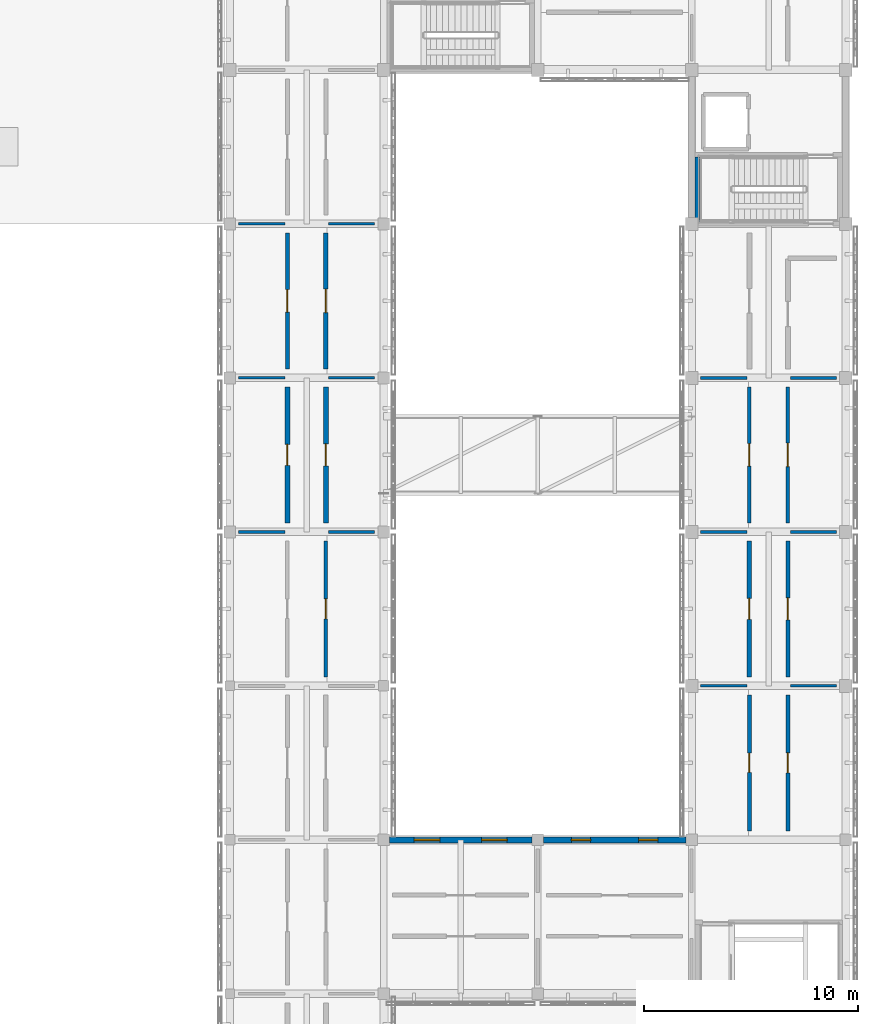
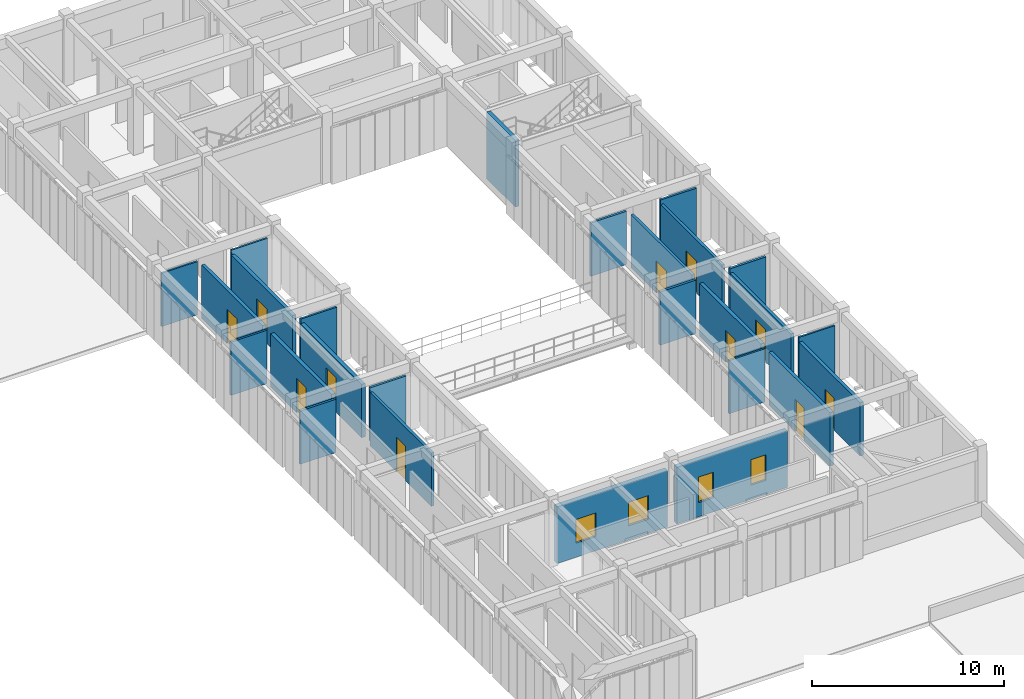
# One storey, part 79 of 91: 26 walls, 11 doors, 4 windows, 15 openings.
"""IFC4 building model written with IfcOpenShell, lengths in metres."""

from ifc_helpers import new_model, si_unit, direction, frame, frame_2d, origin, place, context, subcontext, project, spatial, rectangle, extrude, material, layer, layer_set, type_object, element, fill, save


model = new_model("IFC4")

# Units and contexts
model_context = context("Model", 3, precision=1e-05, world=origin(), true_north=direction((0.0, 1.0)))
body_context = subcontext(model_context, "Body", "Model", "MODEL_VIEW")
ifc_project = project(units=[si_unit("LENGTHUNIT", "METRE"), si_unit("AREAUNIT", "SQUARE_METRE"), si_unit("VOLUMEUNIT", "CUBIC_METRE"), si_unit("PLANEANGLEUNIT", "RADIAN"), si_unit("MASSUNIT", "GRAM", prefix="KILO")], contexts=[model_context])

# Site, building, storey
site_placement = place(None, origin())
site = spatial("IfcSite", under=ifc_project, at=site_placement, CompositionType="ELEMENT")
building_placement = place(site_placement, origin())
building = spatial("IfcBuilding", under=site, at=building_placement, Name="Aldebral Square Health Centre", CompositionType="ELEMENT")
storey_placement = place(building_placement, frame((0.0, 0.0, 9.0)))
storey = spatial("IfcBuildingStorey", under=building, at=storey_placement, Name="L02", CompositionType="ELEMENT", Elevation=9.0)

# Wall, openings, windows
ifc_material_1 = material(Name="Ochre mineral-rendered concrete C35/45 court wall", Category="concrete")
ifc_layer_1 = layer(ifc_material_1, 0.280029296875, Name="Ochre mineral-rendered concrete C35/45 court wall", Category="concrete")
ifc_layer_set_1 = layer_set([ifc_layer_1], Name="Ochre mineral-rendered concrete C35/45 court wall")
wall_type_1 = type_object("IfcWallType", Name="EW-OCH-280", PredefinedType="STANDARD", material=ifc_layer_set_1)
wall_1_placement = place(storey_placement, frame((150.925048828125, 64.800048828125, 0.0), z_axis=(0.0, 0.0, 1.0), x_axis=(-1.0, 0.0, 0.0)))
wall_1 = element("IfcWall", 1, at=wall_1_placement, inside=storey, type_object=wall_type_1, Name="L02 V5 exterior wall L02-V5-20-08-N", PredefinedType="STANDARD", context=body_context, shape_type="SweptSolid", body=[
    extrude(rectangle(XDim=6.650146484375, YDim=0.280029296875, at=frame_2d((3.3251953125, 0.0))), origin(), (0.0, 0.0, 1.0), 3.590087890625),
])
opening_1_placement = place(wall_1_placement, frame((1.14990234375, 0.0, 0.89990234375)))
opening_1 = element("IfcOpeningElement", 2, at=opening_1_placement, cuts=wall_1, Name="Opening W21", PredefinedType="OPENING", context=body_context, shape_type="SweptSolid", body=[
    extrude(rectangle(XDim=1.199951171875, YDim=1.5, at=frame_2d((0.60009765625, 0.75))), frame((0.0, 0.14990234375, 0.0), z_axis=(0.0, -1.0, 0.0), x_axis=(1.0, 0.0, 0.0)), (0.0, 0.0, 1.0), 0.300048828125),
])
opening_2_placement = place(wall_1_placement, frame((4.300048828125, 0.0, 0.89990234375)))
opening_2 = element("IfcOpeningElement", 3, at=opening_2_placement, cuts=wall_1, Name="Opening W21", PredefinedType="OPENING", context=body_context, shape_type="SweptSolid", body=[
    extrude(rectangle(XDim=1.199951171875, YDim=1.5, at=frame_2d((0.60009765625, 0.75))), frame((0.0, 0.14990234375, 0.0), z_axis=(0.0, -1.0, 0.0), x_axis=(1.0, 0.0, 0.0)), (0.0, 0.0, 1.0), 0.300048828125),
])
ifc_material_2 = material(Name="Thermally broken aluminium and low-E glass", Category="aluminium")
window_type_1 = type_object("IfcWindowType", Name="WIN-W21", PartitioningType="SINGLE_PANEL", PredefinedType="WINDOW", material=ifc_material_2)
window_1_placement = place(opening_1_placement, origin())
window_1 = element("IfcWindow", 4, at=window_1_placement, inside=storey, type_object=window_type_1, Name="L02 clinical window L02-V5-20-08-N.1", OverallHeight=1.5, OverallWidth=1.199951171875, PartitioningType="SINGLE_PANEL", PredefinedType="WINDOW", context=body_context, shape_type="SweptSolid", body=[
    extrude(rectangle(XDim=1.199951171875, YDim=1.5, at=frame_2d((0.60009765625, 0.75))), frame((0.0, 0.030029296875, 0.0), z_axis=(0.0, -1.0, 0.0), x_axis=(1.0, 0.0, 0.0)), (0.0, 0.0, 1.0), 0.06005859375),
])
fill(opening_1, window_1)
window_2_placement = place(opening_2_placement, origin())
window_2 = element("IfcWindow", 5, at=window_2_placement, inside=storey, type_object=window_type_1, Name="L02 clinical window L02-V5-20-08-N.2", OverallHeight=1.5, OverallWidth=1.199951171875, PartitioningType="SINGLE_PANEL", PredefinedType="WINDOW", context=body_context, shape_type="SweptSolid", body=[
    extrude(rectangle(XDim=1.199951171875, YDim=1.5, at=frame_2d((0.60009765625, 0.75))), frame((0.0, 0.030029296875, 0.0), z_axis=(0.0, -1.0, 0.0), x_axis=(1.0, 0.0, 0.0)), (0.0, 0.0, 1.0), 0.06005859375),
])
fill(opening_2, window_2)

wall_2_placement = place(storey_placement, frame((158.125, 64.800048828125, 0.0), z_axis=(0.0, 0.0, 1.0), x_axis=(-1.0, 0.0, 0.0)))
wall_2 = element("IfcWall", 6, at=wall_2_placement, inside=storey, type_object=wall_type_1, Name="L02 V5 exterior wall L02-V5-21-08-N", PredefinedType="STANDARD", context=body_context, shape_type="SweptSolid", body=[
    extrude(rectangle(XDim=6.64990234375, YDim=0.280029296875, at=frame_2d((3.324951171875, 0.0))), origin(), (0.0, 0.0, 1.0), 3.590087890625),
])
opening_3_placement = place(wall_2_placement, frame((1.300048828125, 0.0, 0.89990234375)))
opening_3 = element("IfcOpeningElement", 7, at=opening_3_placement, cuts=wall_2, Name="Opening W28", PredefinedType="OPENING", context=body_context, shape_type="SweptSolid", body=[
    extrude(rectangle(XDim=0.89990234375, YDim=1.6201171875, at=frame_2d((0.449951171875, 0.81005859375))), frame((0.0, 0.14990234375, 0.0), z_axis=(0.0, -1.0, 0.0), x_axis=(1.0, 0.0, 0.0)), (0.0, 0.0, 1.0), 0.300048828125),
])
opening_4_placement = place(wall_2_placement, frame((4.449951171875, 0.0, 0.89990234375)))
opening_4 = element("IfcOpeningElement", 8, at=opening_4_placement, cuts=wall_2, Name="Opening W28", PredefinedType="OPENING", context=body_context, shape_type="SweptSolid", body=[
    extrude(rectangle(XDim=0.89990234375, YDim=1.6201171875, at=frame_2d((0.449951171875, 0.81005859375))), frame((0.0, 0.14990234375, 0.0), z_axis=(0.0, -1.0, 0.0), x_axis=(1.0, 0.0, 0.0)), (0.0, 0.0, 1.0), 0.300048828125),
])
window_type_2 = type_object("IfcWindowType", Name="WIN-W28", PartitioningType="SINGLE_PANEL", PredefinedType="WINDOW", material=ifc_material_2)
window_3_placement = place(opening_3_placement, origin())
window_3 = element("IfcWindow", 9, at=window_3_placement, inside=storey, type_object=window_type_2, Name="L02 clinical window L02-V5-21-08-N.1", OverallHeight=1.6201171875, OverallWidth=0.89990234375, PartitioningType="SINGLE_PANEL", PredefinedType="WINDOW", context=body_context, shape_type="SweptSolid", body=[
    extrude(rectangle(XDim=0.89990234375, YDim=1.6201171875, at=frame_2d((0.449951171875, 0.81005859375))), frame((0.0, 0.030029296875, 0.0), z_axis=(0.0, -1.0, 0.0), x_axis=(1.0, 0.0, 0.0)), (0.0, 0.0, 1.0), 0.06005859375),
])
fill(opening_3, window_3)
window_4_placement = place(opening_4_placement, origin())
window_4 = element("IfcWindow", 10, at=window_4_placement, inside=storey, type_object=window_type_2, Name="L02 clinical window L02-V5-21-08-N.2", OverallHeight=1.6201171875, OverallWidth=0.89990234375, PartitioningType="SINGLE_PANEL", PredefinedType="WINDOW", context=body_context, shape_type="SweptSolid", body=[
    extrude(rectangle(XDim=0.89990234375, YDim=1.6201171875, at=frame_2d((0.449951171875, 0.81005859375))), frame((0.0, 0.030029296875, 0.0), z_axis=(0.0, -1.0, 0.0), x_axis=(1.0, 0.0, 0.0)), (0.0, 0.0, 1.0), 0.06005859375),
])
fill(opening_4, window_4)

# Wall, opening, door
ifc_material_3 = material(Name="Concrete C35/45 compartment wall", Category="concrete")
ifc_layer_2 = layer(ifc_material_3, 0.199951171875, Name="Concrete C35/45 compartment wall", Category="concrete")
ifc_layer_set_2 = layer_set([ifc_layer_2], Name="Concrete C35/45 compartment wall")
wall_type_2 = type_object("IfcWallType", Name="IW-CMP-200", PredefinedType="SOLIDWALL", material=ifc_layer_set_2)
wall_3_placement = place(storey_placement, frame((139.5, 86.820068359375, 0.0), z_axis=(0.0, 0.0, 1.0), x_axis=(0.0, 1.0, 0.0)))
wall_3 = element("IfcWall", 11, at=wall_3_placement, inside=storey, type_object=wall_type_2, Name="L02 Clean Linen Store 20.13W corridor wall", PredefinedType="SOLIDWALL", context=body_context, shape_type="SweptSolid", body=[
    extrude(rectangle(XDim=6.35986328125, YDim=0.199951171875, at=frame_2d((3.179931640625, 0.0))), origin(), (0.0, 0.0, 1.0), 3.3798828125),
])
opening_5_placement = place(wall_3_placement, frame((2.64990234375, 0.0, 0.0)))
opening_5 = element("IfcOpeningElement", 12, at=opening_5_placement, cuts=wall_3, Name="Opening D-0481", PredefinedType="OPENING", context=body_context, shape_type="SweptSolid", body=[
    extrude(rectangle(XDim=1.06005859375, YDim=2.18994140625, at=frame_2d((0.530029296875, 1.094970703125))), frame((0.0, 0.10986328125, 0.0), z_axis=(0.0, -1.0, 0.0), x_axis=(1.0, 0.0, 0.0)), (0.0, 0.0, 1.0), 0.219970703125),
])
ifc_material_4 = material(Name="Clinical suite fire door")
door_type_1 = type_object("IfcDoorType", Name="ID-EXD-52", OperationType="NOTDEFINED", PredefinedType="DOOR", material=ifc_material_4)
door_1_placement = place(opening_5_placement, origin())
door_1 = element("IfcDoor", 13, at=door_1_placement, inside=storey, type_object=door_type_1, Name="L02 Clean Linen Store 20.13W door", OperationType="SINGLE_SWING_RIGHT", OverallHeight=2.18994140625, OverallWidth=1.06005859375, PredefinedType="DOOR", context=body_context, shape_type="SweptSolid", body=[
    extrude(rectangle(XDim=1.06005859375, YDim=2.18994140625, at=frame_2d((0.530029296875, 1.094970703125))), frame((0.0, 0.02490234375, 0.0), z_axis=(0.0, -1.0, 0.0), x_axis=(1.0, 0.0, 0.0)), (0.0, 0.0, 1.0), 0.050048828125),
])
fill(opening_5, door_1)

wall_4_placement = place(storey_placement, frame((161.10009765625, 65.219970703125, 0.0), z_axis=(0.0, 0.0, 1.0), x_axis=(0.0, 1.0, 0.0)))
wall_4 = element("IfcWall", 14, at=wall_4_placement, inside=storey, type_object=wall_type_2, Name="L02 Orthopaedic Cast Clinic 23.10W corridor wall", PredefinedType="SOLIDWALL", context=body_context, shape_type="SweptSolid", body=[
    extrude(rectangle(XDim=6.360107421875, YDim=0.199951171875, at=frame_2d((3.18017578125, 0.0))), origin(), (0.0, 0.0, 1.0), 3.3798828125),
])
opening_6_placement = place(wall_4_placement, frame((2.72998046875, 0.0, 0.0)))
opening_6 = element("IfcOpeningElement", 15, at=opening_6_placement, cuts=wall_4, Name="Opening D-0498", PredefinedType="OPENING", context=body_context, shape_type="SweptSolid", body=[
    extrude(rectangle(XDim=0.89990234375, YDim=2.0400390625, at=frame_2d((0.449951171875, 1.02001953125))), frame((0.0, 0.10986328125, 0.0), z_axis=(0.0, -1.0, 0.0), x_axis=(1.0, 0.0, 0.0)), (0.0, 0.0, 1.0), 0.219970703125),
])
door_type_2 = type_object("IfcDoorType", Name="ID-EXD-00", OperationType="NOTDEFINED", PredefinedType="DOOR", material=ifc_material_4)
door_2_placement = place(opening_6_placement, origin())
door_2 = element("IfcDoor", 16, at=door_2_placement, inside=storey, type_object=door_type_2, Name="L02 Orthopaedic Cast Clinic 23.10W door", OperationType="SINGLE_SWING_LEFT", OverallHeight=2.0400390625, OverallWidth=0.89990234375, PredefinedType="DOOR", context=body_context, shape_type="SweptSolid", body=[
    extrude(rectangle(XDim=0.89990234375, YDim=2.0400390625, at=frame_2d((0.449951171875, 1.02001953125))), frame((0.0, 0.02490234375, 0.0), z_axis=(0.0, -1.0, 0.0), x_axis=(1.0, 0.0, 0.0)), (0.0, 0.0, 1.0), 0.050048828125),
])
fill(opening_6, door_2)

wall_5_placement = place(storey_placement, frame((162.89990234375, 65.219970703125, 0.0), z_axis=(0.0, 0.0, 1.0), x_axis=(0.0, 1.0, 0.0)))
wall_5 = element("IfcWall", 17, at=wall_5_placement, inside=storey, type_object=wall_type_2, Name="L02 Clean Linen Store 23.10E corridor wall", PredefinedType="SOLIDWALL", context=body_context, shape_type="SweptSolid", body=[
    extrude(rectangle(XDim=6.360107421875, YDim=0.199951171875, at=frame_2d((3.18017578125, 0.0))), origin(), (0.0, 0.0, 1.0), 3.3798828125),
])
opening_7_placement = place(wall_5_placement, frame((2.7099609375, 0.0, 0.0)))
opening_7 = element("IfcOpeningElement", 18, at=opening_7_placement, cuts=wall_5, Name="Opening D-0499", PredefinedType="OPENING", context=body_context, shape_type="SweptSolid", body=[
    extrude(rectangle(XDim=0.93994140625, YDim=2.0400390625, at=frame_2d((0.469970703125, 1.02001953125))), frame((0.0, 0.10986328125, 0.0), z_axis=(0.0, -1.0, 0.0), x_axis=(1.0, 0.0, 0.0)), (0.0, 0.0, 1.0), 0.219970703125),
])
door_type_3 = type_object("IfcDoorType", Name="ID-EXD-01", OperationType="NOTDEFINED", PredefinedType="DOOR", material=ifc_material_4)
door_3_placement = place(opening_7_placement, origin())
door_3 = element("IfcDoor", 19, at=door_3_placement, inside=storey, type_object=door_type_3, Name="L02 Clean Linen Store 23.10E door", OperationType="SINGLE_SWING_RIGHT", OverallHeight=2.0400390625, OverallWidth=0.93994140625, PredefinedType="DOOR", context=body_context, shape_type="SweptSolid", body=[
    extrude(rectangle(XDim=0.93994140625, YDim=2.0400390625, at=frame_2d((0.469970703125, 1.02001953125))), frame((0.0, 0.02490234375, 0.0), z_axis=(0.0, -1.0, 0.0), x_axis=(1.0, 0.0, 0.0)), (0.0, 0.0, 1.0), 0.050048828125),
])
fill(opening_7, door_3)

ifc_layer_3 = layer(ifc_material_3, 0.219970703125, Name="Concrete C35/45 compartment wall", Category="concrete")
ifc_layer_set_3 = layer_set([ifc_layer_3], Name="Concrete C35/45 compartment wall")
wall_type_3 = type_object("IfcWallType", Name="IW-CMP-220", PredefinedType="SOLIDWALL", material=ifc_layer_set_3)
wall_6_placement = place(storey_placement, frame((139.5, 79.6201171875, 0.0), z_axis=(0.0, 0.0, 1.0), x_axis=(0.0, 1.0, 0.0)))
wall_6 = element("IfcWall", 20, at=wall_6_placement, inside=storey, type_object=wall_type_3, Name="L02 Dermatology Procedure Clinic 20.12W corridor wall", PredefinedType="SOLIDWALL", context=body_context, shape_type="SweptSolid", body=[
    extrude(rectangle(XDim=6.35986328125, YDim=0.219970703125, at=frame_2d((3.179931640625, 0.0))), origin(), (0.0, 0.0, 1.0), 3.3798828125),
])
opening_8_placement = place(wall_6_placement, frame((2.68994140625, 0.0, 0.0)))
opening_8 = element("IfcOpeningElement", 21, at=opening_8_placement, cuts=wall_6, Name="Opening D-0479", PredefinedType="OPENING", context=body_context, shape_type="SweptSolid", body=[
    extrude(rectangle(XDim=0.97998046875, YDim=2.18994140625, at=frame_2d((0.489990234375, 1.094970703125))), frame((0.0, 0.1201171875, 0.0), z_axis=(0.0, -1.0, 0.0), x_axis=(1.0, 0.0, 0.0)), (0.0, 0.0, 1.0), 0.239990234375),
])
door_type_4 = type_object("IfcDoorType", Name="ID-EXD-50", OperationType="NOTDEFINED", PredefinedType="DOOR", material=ifc_material_4)
door_4_placement = place(opening_8_placement, origin())
door_4 = element("IfcDoor", 22, at=door_4_placement, inside=storey, type_object=door_type_4, Name="L02 Dermatology Procedure Clinic 20.12W door", OperationType="SINGLE_SWING_RIGHT", OverallHeight=2.18994140625, OverallWidth=0.97998046875, PredefinedType="DOOR", context=body_context, shape_type="SweptSolid", body=[
    extrude(rectangle(XDim=0.97998046875, YDim=2.18994140625, at=frame_2d((0.489990234375, 1.094970703125))), frame((0.0, 0.02490234375, 0.0), z_axis=(0.0, -1.0, 0.0), x_axis=(1.0, 0.0, 0.0)), (0.0, 0.0, 1.0), 0.050048828125),
])
fill(opening_8, door_4)

wall_7_placement = place(storey_placement, frame((141.300048828125, 79.6201171875, 0.0), z_axis=(0.0, 0.0, 1.0), x_axis=(0.0, 1.0, 0.0)))
wall_7 = element("IfcWall", 23, at=wall_7_placement, inside=storey, type_object=wall_type_3, Name="L02 Orthopaedic Cast Clinic 20.12E corridor wall", PredefinedType="SOLIDWALL", context=body_context, shape_type="SweptSolid", body=[
    extrude(rectangle(XDim=6.35986328125, YDim=0.219970703125, at=frame_2d((3.179931640625, 0.0))), origin(), (0.0, 0.0, 1.0), 3.3798828125),
])
opening_9_placement = place(wall_7_placement, frame((2.669921875, 0.0, 0.0)))
opening_9 = element("IfcOpeningElement", 24, at=opening_9_placement, cuts=wall_7, Name="Opening D-0480", PredefinedType="OPENING", context=body_context, shape_type="SweptSolid", body=[
    extrude(rectangle(XDim=1.02001953125, YDim=2.18994140625, at=frame_2d((0.510009765625, 1.094970703125))), frame((0.0, 0.1201171875, 0.0), z_axis=(0.0, -1.0, 0.0), x_axis=(1.0, 0.0, 0.0)), (0.0, 0.0, 1.0), 0.239990234375),
])
door_type_5 = type_object("IfcDoorType", Name="ID-EXD-51", OperationType="NOTDEFINED", PredefinedType="DOOR", material=ifc_material_4)
door_5_placement = place(opening_9_placement, origin())
door_5 = element("IfcDoor", 25, at=door_5_placement, inside=storey, type_object=door_type_5, Name="L02 Orthopaedic Cast Clinic 20.12E door", OperationType="SINGLE_SWING_LEFT", OverallHeight=2.18994140625, OverallWidth=1.02001953125, PredefinedType="DOOR", context=body_context, shape_type="SweptSolid", body=[
    extrude(rectangle(XDim=1.02001953125, YDim=2.18994140625, at=frame_2d((0.510009765625, 1.094970703125))), frame((0.0, 0.02490234375, 0.0), z_axis=(0.0, -1.0, 0.0), x_axis=(1.0, 0.0, 0.0)), (0.0, 0.0, 1.0), 0.050048828125),
])
fill(opening_9, door_5)

ifc_material_5 = material(Name="Fire-rated acoustic gypsum partition")
ifc_layer_4 = layer(ifc_material_5, 0.1650390625, Name="Fire-rated acoustic gypsum partition")
ifc_layer_set_4 = layer_set([ifc_layer_4], Name="Fire-rated acoustic gypsum partition")
wall_type_4 = type_object("IfcWallType", Name="IW-COR-165", PredefinedType="PARTITIONING", material=ifc_layer_set_4)
wall_8_placement = place(storey_placement, frame((141.300048828125, 72.419921875, 0.0), z_axis=(0.0, 0.0, 1.0), x_axis=(0.0, 1.0, 0.0)))
wall_8 = element("IfcWall", 26, at=wall_8_placement, inside=storey, type_object=wall_type_4, Name="L02 Ophthalmology Exam Suite 20.11E corridor wall", PredefinedType="PARTITIONING", context=body_context, shape_type="SweptSolid", body=[
    extrude(rectangle(XDim=6.360107421875, YDim=0.1650390625, at=frame_2d((3.18017578125, 0.0))), origin(), (0.0, 0.0, 1.0), 3.3798828125),
])
opening_10_placement = place(wall_8_placement, frame((2.7099609375, 0.0, 0.0)))
opening_10 = element("IfcOpeningElement", 27, at=opening_10_placement, cuts=wall_8, Name="Opening D-0478", PredefinedType="OPENING", context=body_context, shape_type="SweptSolid", body=[
    extrude(rectangle(XDim=0.93994140625, YDim=2.18994140625, at=frame_2d((0.469970703125, 1.094970703125))), frame((0.0, 0.092529296875, 0.0), z_axis=(0.0, -1.0, 0.0), x_axis=(1.0, 0.0, 0.0)), (0.0, 0.0, 1.0), 0.18505859375),
])
door_type_6 = type_object("IfcDoorType", Name="ID-EXD-49", OperationType="NOTDEFINED", PredefinedType="DOOR", material=ifc_material_4)
door_6_placement = place(opening_10_placement, origin())
door_6 = element("IfcDoor", 28, at=door_6_placement, inside=storey, type_object=door_type_6, Name="L02 Ophthalmology Exam Suite 20.11E door", OperationType="SINGLE_SWING_LEFT", OverallHeight=2.18994140625, OverallWidth=0.93994140625, PredefinedType="DOOR", context=body_context, shape_type="SweptSolid", body=[
    extrude(rectangle(XDim=0.93994140625, YDim=2.18994140625, at=frame_2d((0.469970703125, 1.094970703125))), frame((0.0, 0.02490234375, 0.0), z_axis=(0.0, -1.0, 0.0), x_axis=(1.0, 0.0, 0.0)), (0.0, 0.0, 1.0), 0.050048828125),
])
fill(opening_10, door_6)

wall_9_placement = place(storey_placement, frame((161.10009765625, 79.6201171875, 0.0), z_axis=(0.0, 0.0, 1.0), x_axis=(0.0, 1.0, 0.0)))
wall_9 = element("IfcWall", 29, at=wall_9_placement, inside=storey, type_object=wall_type_4, Name="L02 Ophthalmology Exam Suite 23.12W corridor wall", PredefinedType="PARTITIONING", context=body_context, shape_type="SweptSolid", body=[
    extrude(rectangle(XDim=6.35986328125, YDim=0.1650390625, at=frame_2d((3.179931640625, 0.0))), origin(), (0.0, 0.0, 1.0), 3.3798828125),
])
opening_11_placement = place(wall_9_placement, frame((2.64990234375, 0.0, 0.0)))
opening_11 = element("IfcOpeningElement", 30, at=opening_11_placement, cuts=wall_9, Name="Opening D-0502", PredefinedType="OPENING", context=body_context, shape_type="SweptSolid", body=[
    extrude(rectangle(XDim=1.06005859375, YDim=2.0400390625, at=frame_2d((0.530029296875, 1.02001953125))), frame((0.0, 0.092529296875, 0.0), z_axis=(0.0, -1.0, 0.0), x_axis=(1.0, 0.0, 0.0)), (0.0, 0.0, 1.0), 0.18505859375),
])
door_type_7 = type_object("IfcDoorType", Name="ID-EXD-04", OperationType="NOTDEFINED", PredefinedType="DOOR", material=ifc_material_4)
door_7_placement = place(opening_11_placement, origin())
door_7 = element("IfcDoor", 31, at=door_7_placement, inside=storey, type_object=door_type_7, Name="L02 Ophthalmology Exam Suite 23.12W door", OperationType="SINGLE_SWING_LEFT", OverallHeight=2.0400390625, OverallWidth=1.06005859375, PredefinedType="DOOR", context=body_context, shape_type="SweptSolid", body=[
    extrude(rectangle(XDim=1.06005859375, YDim=2.0400390625, at=frame_2d((0.530029296875, 1.02001953125))), frame((0.0, 0.02490234375, 0.0), z_axis=(0.0, -1.0, 0.0), x_axis=(1.0, 0.0, 0.0)), (0.0, 0.0, 1.0), 0.050048828125),
])
fill(opening_11, door_7)

wall_10_placement = place(storey_placement, frame((162.89990234375, 79.6201171875, 0.0), z_axis=(0.0, 0.0, 1.0), x_axis=(0.0, 1.0, 0.0)))
wall_10 = element("IfcWall", 32, at=wall_10_placement, inside=storey, type_object=wall_type_4, Name="L02 Dermatology Procedure Clinic 23.12E corridor wall", PredefinedType="PARTITIONING", context=body_context, shape_type="SweptSolid", body=[
    extrude(rectangle(XDim=6.35986328125, YDim=0.1650390625, at=frame_2d((3.179931640625, 0.0))), origin(), (0.0, 0.0, 1.0), 3.3798828125),
])
opening_12_placement = place(wall_10_placement, frame((2.6298828125, 0.0, 0.0)))
opening_12 = element("IfcOpeningElement", 33, at=opening_12_placement, cuts=wall_10, Name="Opening D-0503", PredefinedType="OPENING", context=body_context, shape_type="SweptSolid", body=[
    extrude(rectangle(XDim=1.10009765625, YDim=2.0400390625, at=frame_2d((0.550048828125, 1.02001953125))), frame((0.0, 0.092529296875, 0.0), z_axis=(0.0, -1.0, 0.0), x_axis=(1.0, 0.0, 0.0)), (0.0, 0.0, 1.0), 0.18505859375),
])
door_type_8 = type_object("IfcDoorType", Name="ID-EXD-05", OperationType="NOTDEFINED", PredefinedType="DOOR", material=ifc_material_4)
door_8_placement = place(opening_12_placement, origin())
door_8 = element("IfcDoor", 34, at=door_8_placement, inside=storey, type_object=door_type_8, Name="L02 Dermatology Procedure Clinic 23.12E door", OperationType="SINGLE_SWING_RIGHT", OverallHeight=2.0400390625, OverallWidth=1.10009765625, PredefinedType="DOOR", context=body_context, shape_type="SweptSolid", body=[
    extrude(rectangle(XDim=1.10009765625, YDim=2.0400390625, at=frame_2d((0.550048828125, 1.02001953125))), frame((0.0, 0.02490234375, 0.0), z_axis=(0.0, -1.0, 0.0), x_axis=(1.0, 0.0, 0.0)), (0.0, 0.0, 1.0), 0.050048828125),
])
fill(opening_12, door_8)

ifc_layer_5 = layer(ifc_material_5, 0.179931640625, Name="Fire-rated acoustic gypsum partition")
ifc_layer_set_5 = layer_set([ifc_layer_5], Name="Fire-rated acoustic gypsum partition")
wall_type_5 = type_object("IfcWallType", Name="IW-COR-180", PredefinedType="PARTITIONING", material=ifc_layer_set_5)
wall_11_placement = place(storey_placement, frame((162.89990234375, 72.419921875, 0.0), z_axis=(0.0, 0.0, 1.0), x_axis=(0.0, 1.0, 0.0)))
wall_11 = element("IfcWall", 35, at=wall_11_placement, inside=storey, type_object=wall_type_5, Name="L02 Specialist Clinic 23.11E corridor wall", PredefinedType="PARTITIONING", context=body_context, shape_type="SweptSolid", body=[
    extrude(rectangle(XDim=6.360107421875, YDim=0.179931640625, at=frame_2d((3.18017578125, 0.0))), origin(), (0.0, 0.0, 1.0), 3.3798828125),
])
opening_13_placement = place(wall_11_placement, frame((2.669921875, 0.0, 0.0)))
opening_13 = element("IfcOpeningElement", 36, at=opening_13_placement, cuts=wall_11, Name="Opening D-0501", PredefinedType="OPENING", context=body_context, shape_type="SweptSolid", body=[
    extrude(rectangle(XDim=1.02001953125, YDim=2.0400390625, at=frame_2d((0.510009765625, 1.02001953125))), frame((0.0, 0.10009765625, 0.0), z_axis=(0.0, -1.0, 0.0), x_axis=(1.0, 0.0, 0.0)), (0.0, 0.0, 1.0), 0.199951171875),
])
door_type_9 = type_object("IfcDoorType", Name="ID-EXD-03", OperationType="NOTDEFINED", PredefinedType="DOOR", material=ifc_material_4)
door_9_placement = place(opening_13_placement, origin())
door_9 = element("IfcDoor", 37, at=door_9_placement, inside=storey, type_object=door_type_9, Name="L02 Specialist Clinic 23.11E door", OperationType="SINGLE_SWING_RIGHT", OverallHeight=2.0400390625, OverallWidth=1.02001953125, PredefinedType="DOOR", context=body_context, shape_type="SweptSolid", body=[
    extrude(rectangle(XDim=1.02001953125, YDim=2.0400390625, at=frame_2d((0.510009765625, 1.02001953125))), frame((0.0, 0.02490234375, 0.0), z_axis=(0.0, -1.0, 0.0), x_axis=(1.0, 0.0, 0.0)), (0.0, 0.0, 1.0), 0.050048828125),
])
fill(opening_13, door_9)

# Wall
ifc_material_6 = material(Name="Concrete C40/50", Category="concrete")
ifc_layer_6 = layer(ifc_material_6, 0.219970703125, Name="Concrete C40/50", Category="concrete")
ifc_layer_set_6 = layer_set([ifc_layer_6], Name="Concrete C40/50")
wall_type_6 = type_object("IfcWallType", Name="IW-CORE-280", PredefinedType="SHEAR", material=ifc_layer_set_6)
wall_12_placement = place(storey_placement, frame((158.669921875, 93.719970703125, 0.0), z_axis=(0.0, 0.0, 1.0), x_axis=(0.0, 1.0, 0.0)))
element("IfcWall", 38, at=wall_12_placement, inside=storey, type_object=wall_type_6, Name="L02 WC-C3 shaft wall W", PredefinedType="SHEAR", context=body_context, shape_type="SweptSolid", body=[
    extrude(rectangle(XDim=3.0, YDim=0.219970703125, at=frame_2d((1.5, 0.0))), origin(), (0.0, 0.0, 1.0), 4.239990234375),
])

# Wall, opening, door
ifc_material_7 = material(Name="Moisture-resistant sanitary chase wall")
ifc_layer_7 = layer(ifc_material_7, 0.2099609375, Name="Moisture-resistant sanitary chase wall")
ifc_layer_set_7 = layer_set([ifc_layer_7], Name="Moisture-resistant sanitary chase wall")
wall_type_7 = type_object("IfcWallType", Name="IW-PLB-210", PredefinedType="PLUMBINGWALL", material=ifc_layer_set_7)
wall_13_placement = place(storey_placement, frame((141.300048828125, 86.820068359375, 0.0), z_axis=(0.0, 0.0, 1.0), x_axis=(0.0, 1.0, 0.0)))
wall_13 = element("IfcWall", 39, at=wall_13_placement, inside=storey, type_object=wall_type_7, Name="L02 Accessible WC 20.13E corridor wall", PredefinedType="PLUMBINGWALL", context=body_context, shape_type="SweptSolid", body=[
    extrude(rectangle(XDim=6.35986328125, YDim=0.2099609375, at=frame_2d((3.179931640625, 0.0))), origin(), (0.0, 0.0, 1.0), 3.3798828125),
])
opening_14_placement = place(wall_13_placement, frame((2.6298828125, 0.0, 0.0)))
opening_14 = element("IfcOpeningElement", 40, at=opening_14_placement, cuts=wall_13, Name="Opening D-0482", PredefinedType="OPENING", context=body_context, shape_type="SweptSolid", body=[
    extrude(rectangle(XDim=1.10009765625, YDim=2.18994140625, at=frame_2d((0.550048828125, 1.094970703125))), frame((0.0, 0.114990234375, 0.0), z_axis=(0.0, -1.0, 0.0), x_axis=(1.0, 0.0, 0.0)), (0.0, 0.0, 1.0), 0.22998046875),
])
door_type_10 = type_object("IfcDoorType", Name="ID-EXD-53", OperationType="NOTDEFINED", PredefinedType="DOOR", material=ifc_material_4)
door_10_placement = place(opening_14_placement, origin())
door_10 = element("IfcDoor", 41, at=door_10_placement, inside=storey, type_object=door_type_10, Name="L02 Accessible WC 20.13E door", OperationType="SINGLE_SWING_LEFT", OverallHeight=2.18994140625, OverallWidth=1.10009765625, PredefinedType="DOOR", context=body_context, shape_type="SweptSolid", body=[
    extrude(rectangle(XDim=1.10009765625, YDim=2.18994140625, at=frame_2d((0.550048828125, 1.094970703125))), frame((0.0, 0.02490234375, 0.0), z_axis=(0.0, -1.0, 0.0), x_axis=(1.0, 0.0, 0.0)), (0.0, 0.0, 1.0), 0.050048828125),
])
fill(opening_14, door_10)

wall_14_placement = place(storey_placement, frame((161.10009765625, 72.419921875, 0.0), z_axis=(0.0, 0.0, 1.0), x_axis=(0.0, 1.0, 0.0)))
wall_14 = element("IfcWall", 42, at=wall_14_placement, inside=storey, type_object=wall_type_7, Name="L02 Accessible WC 23.11W corridor wall", PredefinedType="PLUMBINGWALL", context=body_context, shape_type="SweptSolid", body=[
    extrude(rectangle(XDim=6.360107421875, YDim=0.2099609375, at=frame_2d((3.18017578125, 0.0))), origin(), (0.0, 0.0, 1.0), 3.3798828125),
])
opening_15_placement = place(wall_14_placement, frame((2.68994140625, 0.0, 0.0)))
opening_15 = element("IfcOpeningElement", 43, at=opening_15_placement, cuts=wall_14, Name="Opening D-0500", PredefinedType="OPENING", context=body_context, shape_type="SweptSolid", body=[
    extrude(rectangle(XDim=0.97998046875, YDim=2.0400390625, at=frame_2d((0.489990234375, 1.02001953125))), frame((0.0, 0.114990234375, 0.0), z_axis=(0.0, -1.0, 0.0), x_axis=(1.0, 0.0, 0.0)), (0.0, 0.0, 1.0), 0.22998046875),
])
door_type_11 = type_object("IfcDoorType", Name="ID-EXD-02", OperationType="NOTDEFINED", PredefinedType="DOOR", material=ifc_material_4)
door_11_placement = place(opening_15_placement, origin())
door_11 = element("IfcDoor", 44, at=door_11_placement, inside=storey, type_object=door_type_11, Name="L02 Accessible WC 23.11W door", OperationType="SINGLE_SWING_LEFT", OverallHeight=2.0400390625, OverallWidth=0.97998046875, PredefinedType="DOOR", context=body_context, shape_type="SweptSolid", body=[
    extrude(rectangle(XDim=0.97998046875, YDim=2.0400390625, at=frame_2d((0.489990234375, 1.02001953125))), frame((0.0, 0.02490234375, 0.0), z_axis=(0.0, -1.0, 0.0), x_axis=(1.0, 0.0, 0.0)), (0.0, 0.0, 1.0), 0.050048828125),
])
fill(opening_15, door_11)

# Walls
ifc_material_8 = material(Name="Lightweight clinical partition")
ifc_layer_8 = layer(ifc_material_8, 0.10498046875, Name="Lightweight clinical partition")
ifc_layer_set_8 = layer_set([ifc_layer_8], Name="Lightweight clinical partition")
wall_type_8 = type_object("IfcWallType", Name="IW-PRT-105", PredefinedType="PARTITIONING", material=ifc_layer_set_8)
wall_15_placement = place(storey_placement, frame((137.219970703125, 93.60009765625, 0.0), z_axis=(0.0, 0.0, 1.0), x_axis=(1.0, 0.0, 0.0)))
element("IfcWall", 45, at=wall_15_placement, inside=storey, type_object=wall_type_8, Name="L02 Clean Linen Store 20.13W demising partition", PredefinedType="PARTITIONING", context=body_context, shape_type="SweptSolid", body=[
    extrude(rectangle(XDim=2.159912109375, YDim=0.10498046875, at=frame_2d((1.080078125, 0.0))), origin(), (0.0, 0.0, 1.0), 3.3798828125),
])
wall_16_placement = place(storey_placement, frame((141.419921875, 93.60009765625, 0.0), z_axis=(0.0, 0.0, 1.0), x_axis=(1.0, 0.0, 0.0)))
element("IfcWall", 46, at=wall_16_placement, inside=storey, type_object=wall_type_8, Name="L02 Accessible WC 20.13E demising partition", PredefinedType="PARTITIONING", context=body_context, shape_type="SweptSolid", body=[
    extrude(rectangle(XDim=2.16015625, YDim=0.10498046875, at=frame_2d((1.080078125, 0.0))), origin(), (0.0, 0.0, 1.0), 3.3798828125),
])
for number, where, z_axis, x_axis, name in (
    (47, (158.820068359375, 72.0, 0.0), (0.0, 0.0, 1.0), (1.0, 0.0, 0.0), "L02 Orthopaedic Cast Clinic 23.10W demising partition"),
    (48, (163.02001953125, 72.0, 0.0), (0.0, 0.0, 1.0), (1.0, 0.0, 0.0), "L02 Clean Linen Store 23.10E demising partition"),
):
    element("IfcWall", number, at=place(storey_placement, frame(where, z_axis=z_axis, x_axis=x_axis)), inside=storey, type_object=wall_type_8, Name=name, PredefinedType="PARTITIONING", context=body_context, shape_type="SweptSolid", body=[
        extrude(rectangle(XDim=2.159912109375, YDim=0.10498046875, at=frame_2d((1.080078125, 0.0))), origin(), (0.0, 0.0, 1.0), 3.3798828125),
    ])
ifc_material_9 = material(Name="Acoustic clinical gypsum partition")
ifc_layer_9 = layer(ifc_material_9, 0.1201171875, Name="Acoustic clinical gypsum partition")
ifc_layer_set_9 = layer_set([ifc_layer_9], Name="Acoustic clinical gypsum partition")
wall_type_9 = type_object("IfcWallType", Name="IW-PRT-120", PredefinedType="PARTITIONING", material=ifc_layer_set_9)
wall_17_placement = place(storey_placement, frame((137.219970703125, 86.39990234375, 0.0), z_axis=(0.0, 0.0, 1.0), x_axis=(1.0, 0.0, 0.0)))
element("IfcWall", 49, at=wall_17_placement, inside=storey, type_object=wall_type_9, Name="L02 Dermatology Procedure Clinic 20.12W demising partition", PredefinedType="PARTITIONING", context=body_context, shape_type="SweptSolid", body=[
    extrude(rectangle(XDim=2.159912109375, YDim=0.1201171875, at=frame_2d((1.080078125, 0.0))), origin(), (0.0, 0.0, 1.0), 3.3798828125),
])
wall_18_placement = place(storey_placement, frame((141.419921875, 86.39990234375, 0.0), z_axis=(0.0, 0.0, 1.0), x_axis=(1.0, 0.0, 0.0)))
element("IfcWall", 50, at=wall_18_placement, inside=storey, type_object=wall_type_9, Name="L02 Orthopaedic Cast Clinic 20.12E demising partition", PredefinedType="PARTITIONING", context=body_context, shape_type="SweptSolid", body=[
    extrude(rectangle(XDim=2.16015625, YDim=0.1201171875, at=frame_2d((1.080078125, 0.0))), origin(), (0.0, 0.0, 1.0), 3.3798828125),
])
ifc_layer_10 = layer(ifc_material_9, 0.135009765625, Name="Acoustic clinical gypsum partition")
ifc_layer_set_10 = layer_set([ifc_layer_10], Name="Acoustic clinical gypsum partition")
wall_type_10 = type_object("IfcWallType", Name="IW-PRT-135", PredefinedType="PARTITIONING", material=ifc_layer_set_10)
wall_19_placement = place(storey_placement, frame((137.219970703125, 79.199951171875, 0.0), z_axis=(0.0, 0.0, 1.0), x_axis=(1.0, 0.0, 0.0)))
element("IfcWall", 51, at=wall_19_placement, inside=storey, type_object=wall_type_10, Name="L02 Specialist Clinic 20.11W demising partition", PredefinedType="PARTITIONING", context=body_context, shape_type="SweptSolid", body=[
    extrude(rectangle(XDim=2.159912109375, YDim=0.135009765625, at=frame_2d((1.080078125, 0.0))), origin(), (0.0, 0.0, 1.0), 3.3798828125),
])
wall_20_placement = place(storey_placement, frame((141.419921875, 79.199951171875, 0.0), z_axis=(0.0, 0.0, 1.0), x_axis=(1.0, 0.0, 0.0)))
element("IfcWall", 52, at=wall_20_placement, inside=storey, type_object=wall_type_10, Name="L02 Ophthalmology Exam Suite 20.11E demising partition", PredefinedType="PARTITIONING", context=body_context, shape_type="SweptSolid", body=[
    extrude(rectangle(XDim=2.16015625, YDim=0.135009765625, at=frame_2d((1.080078125, 0.0))), origin(), (0.0, 0.0, 1.0), 3.3798828125),
])
for number, where, z_axis, x_axis, name in (
    (53, (158.820068359375, 86.39990234375, 0.0), (0.0, 0.0, 1.0), (1.0, 0.0, 0.0), "L02 Ophthalmology Exam Suite 23.12W demising partition"),
    (54, (163.02001953125, 86.39990234375, 0.0), (0.0, 0.0, 1.0), (1.0, 0.0, 0.0), "L02 Dermatology Procedure Clinic 23.12E demising partition"),
):
    element("IfcWall", number, at=place(storey_placement, frame(where, z_axis=z_axis, x_axis=x_axis)), inside=storey, type_object=wall_type_10, Name=name, PredefinedType="PARTITIONING", context=body_context, shape_type="SweptSolid", body=[
        extrude(rectangle(XDim=2.159912109375, YDim=0.135009765625, at=frame_2d((1.080078125, 0.0))), origin(), (0.0, 0.0, 1.0), 3.3798828125),
    ])
ifc_layer_11 = layer(ifc_material_9, 0.14990234375, Name="Acoustic clinical gypsum partition")
ifc_layer_set_11 = layer_set([ifc_layer_11], Name="Acoustic clinical gypsum partition")
wall_type_11 = type_object("IfcWallType", Name="IW-PRT-150", PredefinedType="PARTITIONING", material=ifc_layer_set_11)
for number, where, z_axis, x_axis, name in (
    (55, (158.820068359375, 79.199951171875, 0.0), (0.0, 0.0, 1.0), (1.0, 0.0, 0.0), "L02 Accessible WC 23.11W demising partition"),
    (56, (163.02001953125, 79.199951171875, 0.0), (0.0, 0.0, 1.0), (1.0, 0.0, 0.0), "L02 Specialist Clinic 23.11E demising partition"),
):
    element("IfcWall", number, at=place(storey_placement, frame(where, z_axis=z_axis, x_axis=x_axis)), inside=storey, type_object=wall_type_11, Name=name, PredefinedType="PARTITIONING", context=body_context, shape_type="SweptSolid", body=[
        extrude(rectangle(XDim=2.159912109375, YDim=0.14990234375, at=frame_2d((1.080078125, 0.0))), origin(), (0.0, 0.0, 1.0), 3.3798828125),
    ])

save(model, "model.ifc")
